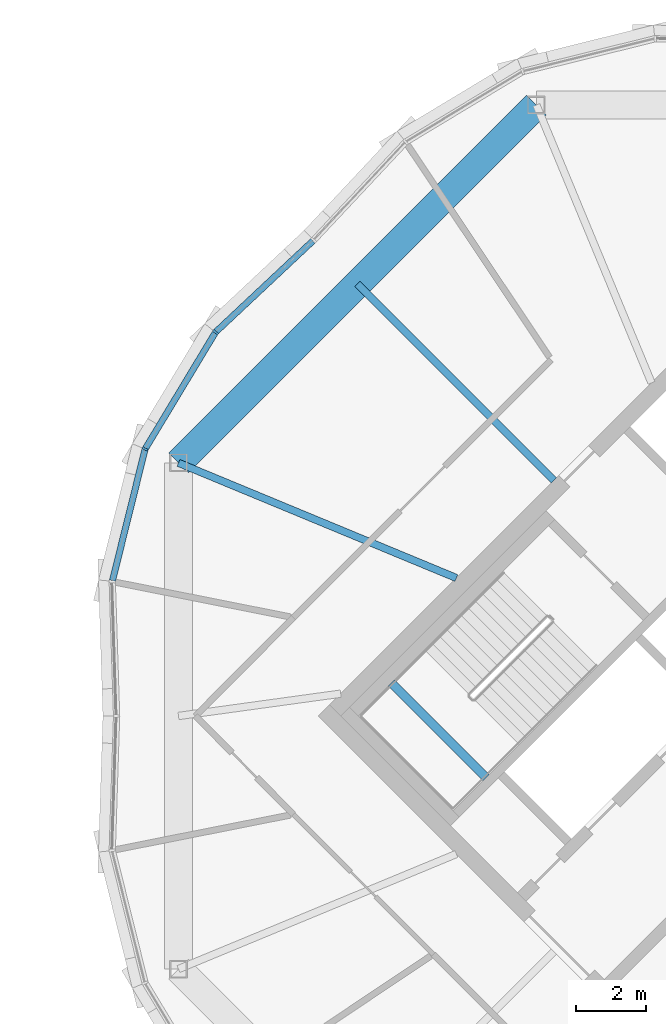
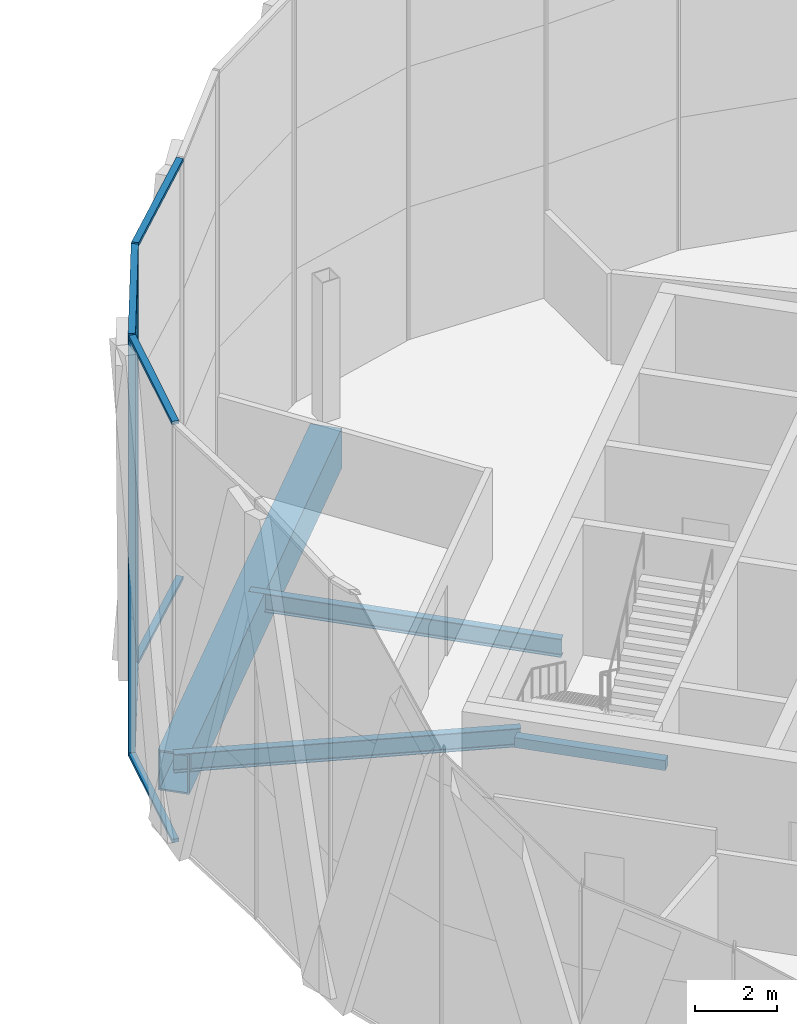
# One storey, part 9 of 23: 8 members, 4 beams, 1 element without a shape of its own.
"""IFC4 building model written with IfcOpenShell, lengths in metres."""

from ifc_helpers import new_model, si_unit, direction, frame, origin, origin_2d, place, context, subcontext, project, spatial, rectangle, hollow_rectangle, i_section, extrude, material, material_profile, profile_set, type_object, element, aggregate, save


model = new_model("IFC4")

# Units and contexts
model_context = context("Model", 3, precision=1e-05, world=origin(), true_north=direction((0.0, 1.0)))
body_context = subcontext(model_context, "Body", "Model", "MODEL_VIEW")
ifc_project = project(units=[si_unit("LENGTHUNIT", "METRE"), si_unit("AREAUNIT", "SQUARE_METRE"), si_unit("VOLUMEUNIT", "CUBIC_METRE"), si_unit("PLANEANGLEUNIT", "RADIAN"), si_unit("MASSUNIT", "GRAM", prefix="KILO")], contexts=[model_context])

# Site, building, storey
site_placement = place(None, origin())
site = spatial("IfcSite", under=ifc_project, at=site_placement, CompositionType="ELEMENT")
building_placement = place(site_placement, origin())
building = spatial("IfcBuilding", under=site, at=building_placement, Name="Ogive Gate Towers", CompositionType="ELEMENT")
storey_placement = place(building_placement, frame((0.0, 0.0, 256.199951171875)))
storey = spatial("IfcBuildingStorey", under=building, at=storey_placement, Name="L60", CompositionType="ELEMENT", Elevation=256.199951171875)

# Beams
ifc_material_1 = material(Name="Steel SM460", Category="steel")
ifc_material_profile_1 = material_profile(ifc_material_1, hollow_rectangle(XDim=0.800048828125, YDim=1.199951171875, WallThickness=0.050048828125, at=origin_2d()), Name="BX 1200x800x50")
ifc_profile_set_1 = profile_set([ifc_material_profile_1], Name="Steel SM460")
beam_type_1 = type_object("IfcBeamType", Name="Edge girder BX 1200x800x50", PredefinedType="BEAM", material=ifc_profile_set_1)
beam_1_placement = place(storey_placement, frame((28.782470703125, 17.42431640625, -0.89990234375), z_axis=(-0.707106781187, -0.707106781187, 0.0), x_axis=(0.707106781187, -0.707106781187, 0.0)))
element("IfcBeam", 1, at=beam_1_placement, inside=storey, type_object=beam_type_1, Name="T2/L60/SBM023", PredefinedType="BEAM", context=body_context, shape_type="SweptSolid", body=[
    extrude(hollow_rectangle(XDim=0.800048828125, YDim=1.199951171875, WallThickness=0.050048828125, at=origin_2d()), origin(), (0.0, 0.0, 1.0), 14.4345703125),
])
ifc_material_2 = material(Name="Concrete C40/50", Category="concrete")
ifc_material_profile_2 = material_profile(ifc_material_2, rectangle(XDim=0.25, YDim=0.300048828125, at=origin_2d()), Name="RC 250x300")
ifc_profile_set_2 = profile_set([ifc_material_profile_2], Name="Concrete C40/50")
beam_type_2 = type_object("IfcBeamType", Name="Landing bearer RC 250x300", PredefinedType="BEAM", material=ifc_profile_set_2)
beam_2_placement = place(storey_placement, frame((24.64111328125, 0.94482421875, 1.75), z_axis=(0.707138693938, -0.707074866995, 0.0), x_axis=(0.707074866995, 0.707138693938, 0.0)))
element("IfcBeam", 2, at=beam_2_placement, inside=storey, type_object=beam_type_2, Name="T2 L60 stair 1 landing bearer 1", PredefinedType="BEAM", context=body_context, shape_type="SweptSolid", body=[
    extrude(rectangle(XDim=0.25, YDim=0.300048828125, at=origin_2d()), origin(), (0.0, 0.0, 1.0), 3.824951171875),
])
ifc_material_3 = material(Name="Steel SM355", Category="steel")
ifc_material_profile_3 = material_profile(ifc_material_3, i_section(OverallWidth=0.2099609375, OverallDepth=0.550048828125, WebThickness=0.010986328125, FlangeThickness=0.01708984375, FilletRadius=0.02392578125, at=origin_2d()), Name="IPE 550")
ifc_profile_set_3 = profile_set([ifc_material_profile_3], Name="Steel SM355")
beam_type_3 = type_object("IfcBeamType", Name="Radial floor beam IPE 550", PredefinedType="BEAM", material=ifc_profile_set_3)
beam_3_placement = place(storey_placement, frame((29.282470703125, 6.717529296875, -0.574951171875), z_axis=(-0.707106781187, 0.707106781187, 0.0), x_axis=(-0.707106781187, -0.707106781187, 0.0)))
element("IfcBeam", 3, at=beam_3_placement, inside=storey, type_object=beam_type_3, Name="T2/L60/SBM014", PredefinedType="BEAM", context=body_context, shape_type="SweptSolid", body=[
    extrude(i_section(OverallWidth=0.2099609375, OverallDepth=0.550048828125, WebThickness=0.010986328125, FlangeThickness=0.01708984375, FilletRadius=0.02392578125, at=origin_2d()), origin(), (0.0, 0.0, 1.0), 7.92431640625),
])
beam_4_placement = place(storey_placement, frame((26.5, 3.93505859375, -0.574951171875), z_axis=(-0.923874941579, 0.382694515667, 0.0), x_axis=(-0.382694515667, -0.923874941579, 0.0)))
element("IfcBeam", 4, at=beam_4_placement, inside=storey, type_object=beam_type_3, Name="T2/L60/SBM015", PredefinedType="BEAM", context=body_context, shape_type="SweptSolid", body=[
    extrude(i_section(OverallWidth=0.2099609375, OverallDepth=0.550048828125, WebThickness=0.010986328125, FlangeThickness=0.01708984375, FilletRadius=0.02392578125, at=origin_2d()), origin(), (0.0, 0.0, 1.0), 8.5771484375),
])

# Curtain wall, members
ifc_material_4 = material(Name="Pale metal aluminium", Category="aluminium")
curtain_wall_type = type_object("IfcCurtainWallType", Name="Tower unitised wall, high zone", PredefinedType="NOTDEFINED", material=ifc_material_4)
curtain_wall_placement = place(storey_placement, origin())
curtain_wall = element("IfcCurtainWall", 5, at=curtain_wall_placement, inside=storey, type_object=curtain_wall_type, Name="CW2 T2 ECW04", PredefinedType="NOTDEFINED")
ifc_material_profile_4 = material_profile(ifc_material_4, rectangle(XDim=0.179931640625, YDim=0.06005859375, at=origin_2d()), Name="60 x 180 aluminium box")
ifc_profile_set_4 = profile_set([ifc_material_profile_4], Name="Pale metal aluminium")
member_type_1 = type_object("IfcMemberType", Name="Tower unitised wall, high zone mullion 60 x 180", PredefinedType="MULLION", material=ifc_profile_set_4)
member_1_placement = place(storey_placement, frame((19.632568359375, 10.9462890625, -0.300048828125), z_axis=(0.0, 0.0, 1.0), x_axis=(-0.777574146191, 0.628791258825, 0.0)))
member_1 = element("IfcMember", 6, at=member_1_placement, type_object=member_type_1, Name="CW2 mullion", PredefinedType="MULLION", context=body_context, shape_type="SweptSolid", body=[
    extrude(rectangle(XDim=0.179931640625, YDim=0.06005859375, at=origin_2d()), origin(), (0.0, 0.0, 1.0), 12.60009765625),
])
member_2_placement = place(storey_placement, frame((17.623046875, 7.612060546875, -0.300048828125), z_axis=(0.0, 0.0, 1.0), x_axis=(-0.923879532511, 0.382683432365, 0.0)))
member_2 = element("IfcMember", 7, at=member_2_placement, type_object=member_type_1, Name="CW2 mullion", PredefinedType="MULLION", context=body_context, shape_type="SweptSolid", body=[
    extrude(rectangle(XDim=0.179931640625, YDim=0.06005859375, at=origin_2d()), origin(), (0.0, 0.0, 1.0), 12.60009765625),
])
ifc_material_profile_5 = material_profile(ifc_material_4, rectangle(XDim=0.179931640625, YDim=0.10009765625, at=origin_2d()), Name="100 x 180 aluminium box")
ifc_profile_set_5 = profile_set([ifc_material_profile_5], Name="Pale metal aluminium")
member_type_2 = type_object("IfcMemberType", Name="Tower unitised wall, high zone transom 100 x 180", PredefinedType="USERDEFINED", material=ifc_profile_set_5)
member_3_placement = place(storey_placement, frame((22.408447265625, 13.548583984375, 12.25), z_axis=(-0.729559380509, -0.683917473319, 0.0), x_axis=(0.683917473319, -0.729559380509, 0.0)))
member_3 = element("IfcMember", 8, at=member_3_placement, type_object=member_type_2, Name="CW2 transom", ObjectType="TRANSOM", PredefinedType="USERDEFINED", context=body_context, shape_type="SweptSolid", body=[
    extrude(rectangle(XDim=0.179931640625, YDim=0.10009765625, at=origin_2d()), origin(), (0.0, 0.0, 1.0), 3.7763671875),
])
member_4_placement = place(storey_placement, frame((22.408447265625, 13.548583984375, -0.25), z_axis=(-0.729559380509, -0.683917473319, 0.0), x_axis=(0.683917473319, -0.729559380509, 0.0)))
member_4 = element("IfcMember", 9, at=member_4_placement, type_object=member_type_2, Name="CW2 transom", ObjectType="TRANSOM", PredefinedType="USERDEFINED", context=body_context, shape_type="SweptSolid", body=[
    extrude(rectangle(XDim=0.179931640625, YDim=0.10009765625, at=origin_2d()), origin(), (0.0, 0.0, 1.0), 3.7763671875),
])
member_5_placement = place(storey_placement, frame((19.617919921875, 10.921875, 12.25), z_axis=(-0.516188713906, -0.856474875076, 0.0), x_axis=(0.856474875076, -0.516188713906, 0.0)))
member_5 = element("IfcMember", 10, at=member_5_placement, type_object=member_type_2, Name="CW2 transom", ObjectType="TRANSOM", PredefinedType="USERDEFINED", context=body_context, shape_type="SweptSolid", body=[
    extrude(rectangle(XDim=0.179931640625, YDim=0.10009765625, at=origin_2d()), origin(), (0.0, 0.0, 1.0), 3.836181640625),
])
member_6_placement = place(storey_placement, frame((19.617919921875, 10.921875, -0.25), z_axis=(-0.516188713906, -0.856474875076, 0.0), x_axis=(0.856474875076, -0.516188713906, 0.0)))
member_6 = element("IfcMember", 11, at=member_6_placement, type_object=member_type_2, Name="CW2 transom", ObjectType="TRANSOM", PredefinedType="USERDEFINED", context=body_context, shape_type="SweptSolid", body=[
    extrude(rectangle(XDim=0.179931640625, YDim=0.10009765625, at=origin_2d()), origin(), (0.0, 0.0, 1.0), 3.836181640625),
])
member_7_placement = place(storey_placement, frame((17.6162109375, 7.584228515625, 12.25), z_axis=(-0.240648228376, -0.97061239956, 0.0), x_axis=(0.97061239956, -0.240648228376, 0.0)))
member_7 = element("IfcMember", 12, at=member_7_placement, type_object=member_type_2, Name="CW2 transom", ObjectType="TRANSOM", PredefinedType="USERDEFINED", context=body_context, shape_type="SweptSolid", body=[
    extrude(rectangle(XDim=0.179931640625, YDim=0.10009765625, at=origin_2d()), origin(), (0.0, 0.0, 1.0), 3.8359375),
])
member_8_placement = place(storey_placement, frame((17.6162109375, 7.584228515625, -0.25), z_axis=(-0.240648228376, -0.97061239956, 0.0), x_axis=(0.97061239956, -0.240648228376, 0.0)))
member_8 = element("IfcMember", 13, at=member_8_placement, type_object=member_type_2, Name="CW2 transom", ObjectType="TRANSOM", PredefinedType="USERDEFINED", context=body_context, shape_type="SweptSolid", body=[
    extrude(rectangle(XDim=0.179931640625, YDim=0.10009765625, at=origin_2d()), origin(), (0.0, 0.0, 1.0), 3.8359375),
])
aggregate(curtain_wall, [member_1, member_3, member_4, member_2, member_5, member_6, member_7, member_8])

save(model, "model.ifc")
